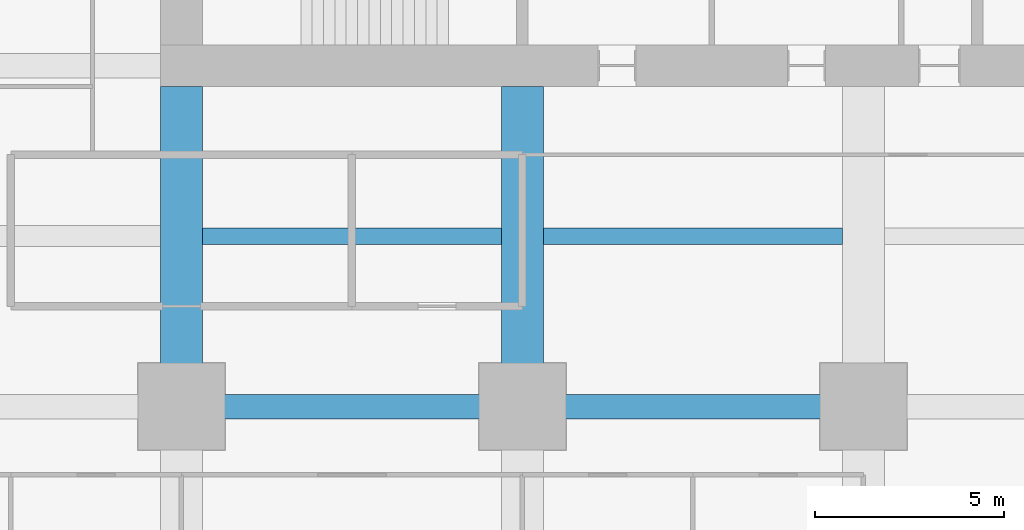
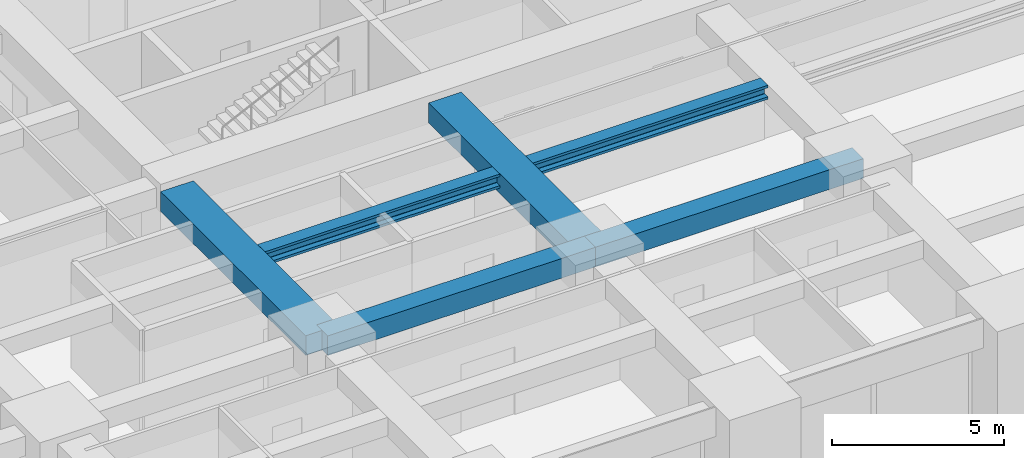
# One storey, part 8 of 44: 6 beams.
"""IFC4 building model written with IfcOpenShell, lengths in metres."""

from ifc_helpers import new_model, si_unit, direction, frame, origin, origin_2d, place, context, subcontext, project, spatial, rectangle, i_section, extrude, material, material_profile, profile_set, type_object, element, save


model = new_model("IFC4")

# Units and contexts
model_context = context("Model", 3, precision=1e-05, world=origin(), true_north=direction((0.0, 1.0)))
body_context = subcontext(model_context, "Body", "Model", "MODEL_VIEW")
ifc_project = project(units=[si_unit("LENGTHUNIT", "METRE"), si_unit("AREAUNIT", "SQUARE_METRE"), si_unit("VOLUMEUNIT", "CUBIC_METRE"), si_unit("PLANEANGLEUNIT", "RADIAN"), si_unit("MASSUNIT", "GRAM", prefix="KILO")], contexts=[model_context])

# Site, building, storey
site_placement = place(None, origin())
site = spatial("IfcSite", under=ifc_project, at=site_placement, CompositionType="ELEMENT")
building_placement = place(site_placement, origin())
building = spatial("IfcBuilding", under=site, at=building_placement, Name="Zorevar Civic Tower", CompositionType="ELEMENT")
storey_placement = place(building_placement, frame((0.0, 0.0, 31.800048828125)))
storey = spatial("IfcBuildingStorey", under=building, at=storey_placement, Name="L07", CompositionType="ELEMENT", Elevation=31.800048828125)

# Beams
ifc_material_1 = material(Name="Concrete C50/60", Category="concrete")
ifc_material_profile_1 = material_profile(ifc_material_1, rectangle(XDim=1.10009765625, YDim=0.699951171875, at=origin_2d()), Name="RC 1100x700")
ifc_profile_set_1 = profile_set([ifc_material_profile_1], Name="Concrete C50/60")
beam_type_1 = type_object("IfcBeamType", Name="Beam RC 1100x700", PredefinedType="BEAM", material=ifc_profile_set_1)
for number, where, z_axis, x_axis, name in (
    (1, (18.0, 9.0, 3.39990234375), (0.0, 1.0, 0.0), (-1.0, 0.0, 0.0), "Girder L08"),
    (2, (27.0, 9.0, 3.39990234375), (0.0, 1.0, 0.0), (-1.0, 0.0, 0.0), "Girder L08"),
):
    element("IfcBeam", number, at=place(storey_placement, frame(where, z_axis=z_axis, x_axis=x_axis)), inside=storey, type_object=beam_type_1, Name=name, PredefinedType="BEAM", context=body_context, shape_type="SweptSolid", body=[
        extrude(rectangle(XDim=1.10009765625, YDim=0.699951171875, at=origin_2d()), origin(), (0.0, 0.0, 1.0), 8.449951171875),
    ])
ifc_material_2 = material(Name="Concrete C50/60", Category="concrete")
ifc_material_profile_2 = material_profile(ifc_material_2, rectangle(XDim=0.64990234375, YDim=0.699951171875, at=origin_2d()), Name="RC 650x700")
ifc_profile_set_2 = profile_set([ifc_material_profile_2], Name="Concrete C50/60")
beam_type_2 = type_object("IfcBeamType", Name="Beam RC 650x700", PredefinedType="BEAM", material=ifc_profile_set_2)
for number, where, z_axis, x_axis, name in (
    (3, (18.0, 9.0, 3.39990234375), (1.0, 0.0, 0.0), (0.0, 1.0, 0.0), "Girder L08"),
    (4, (27.0, 9.0, 3.39990234375), (1.0, 0.0, 0.0), (0.0, 1.0, 0.0), "Girder L08"),
):
    element("IfcBeam", number, at=place(storey_placement, frame(where, z_axis=z_axis, x_axis=x_axis)), inside=storey, type_object=beam_type_2, Name=name, PredefinedType="BEAM", context=body_context, shape_type="SweptSolid", body=[
        extrude(rectangle(XDim=0.64990234375, YDim=0.699951171875, at=origin_2d()), origin(), (0.0, 0.0, 1.0), 9.0),
    ])
ifc_material_3 = material(Name="Steel S460M (HISTAR 460)", Category="steel")
ifc_material_profile_3 = material_profile(ifc_material_3, i_section(OverallWidth=0.431884765625, OverallDepth=0.498046875, WebThickness=0.0556640625, FlangeThickness=0.0888671875, FilletRadius=0.014892578125, at=origin_2d()), Name="HD 400x744")
ifc_profile_set_3 = profile_set([ifc_material_profile_3], Name="Steel S460M (HISTAR 460)")
beam_type_3 = type_object("IfcBeamType", Name="Core bay beam HD 400x744", PredefinedType="BEAM", material=ifc_profile_set_3)
for number, where, z_axis, x_axis, name in (
    (5, (18.550048828125, 13.5, 3.5009765625), (1.0, 0.0, 0.0), (0.0, 1.0, 0.0), "Secondary beam L08"),
    (6, (27.550048828125, 13.5, 3.5009765625), (1.0, 0.0, 0.0), (0.0, 1.0, 0.0), "Secondary beam L08"),
):
    element("IfcBeam", number, at=place(storey_placement, frame(where, z_axis=z_axis, x_axis=x_axis)), inside=storey, type_object=beam_type_3, Name=name, PredefinedType="BEAM", context=body_context, shape_type="SweptSolid", body=[
        extrude(i_section(OverallWidth=0.431884765625, OverallDepth=0.498046875, WebThickness=0.0556640625, FlangeThickness=0.0888671875, FilletRadius=0.014892578125, at=origin_2d()), origin(), (0.0, 0.0, 1.0), 7.89990234375),
    ])

save(model, "model.ifc")
